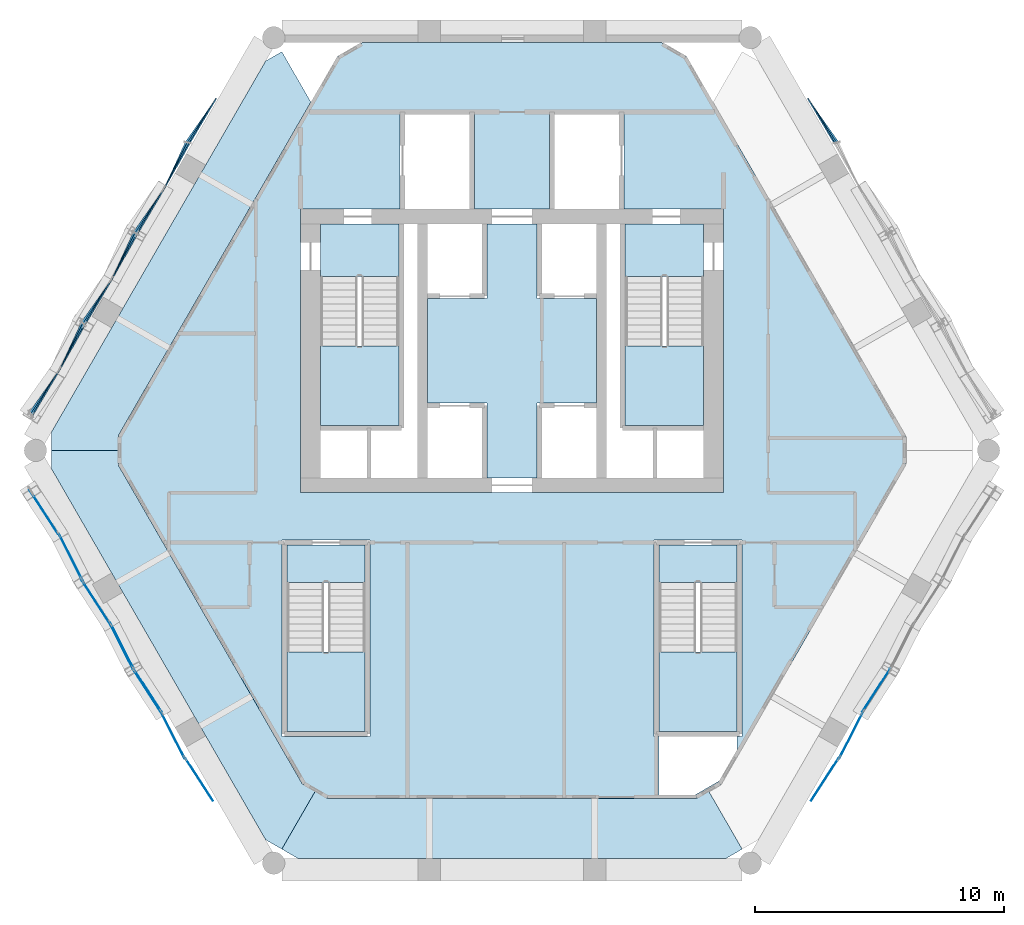
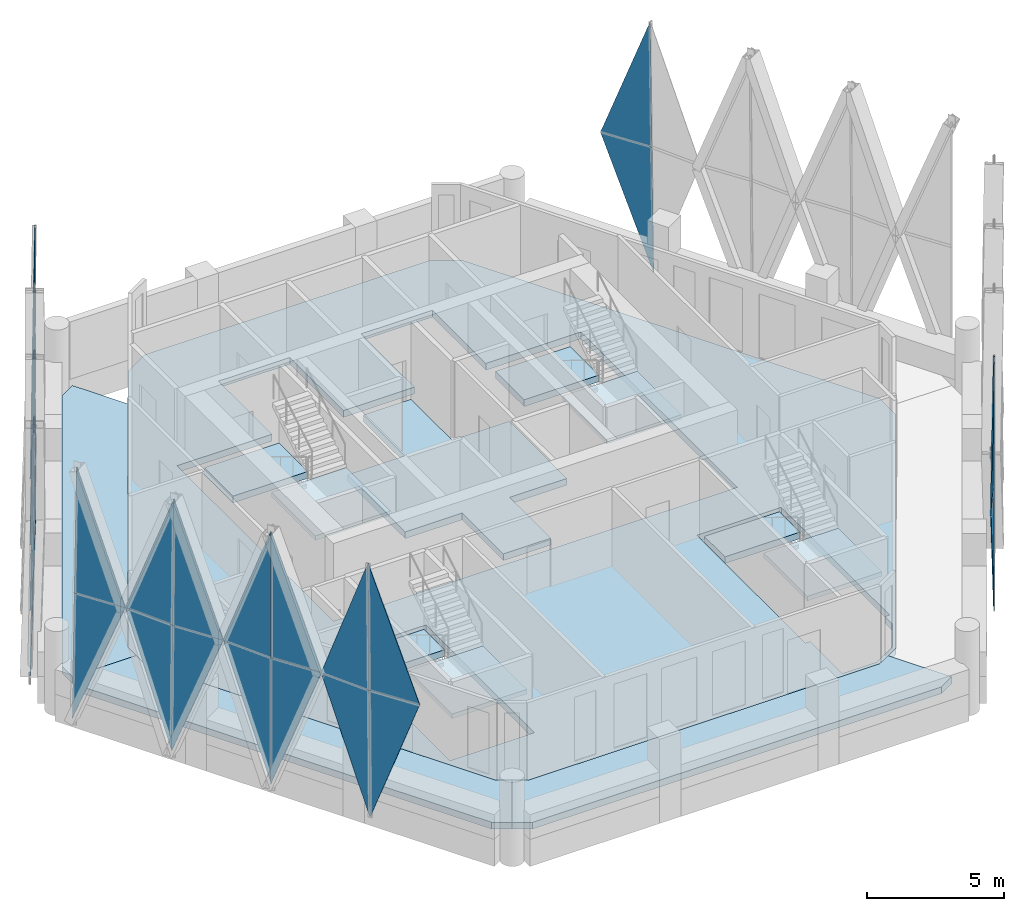
# One storey, part 10 of 18: 35 plates, 13 slabs, 18 elements without a shape of their own.
"""IFC4 building model written with IfcOpenShell, lengths in metres."""

from ifc_helpers import new_model, si_unit, direction, frame, origin, place, context, subcontext, project, spatial, polyline, outline, extrude, material, layer, layer_set, type_object, element, aggregate, save


model = new_model("IFC4")

# Units and contexts
model_context = context("Model", 3, precision=1e-05, world=origin(), true_north=direction((0.0, 1.0)))
body_context = subcontext(model_context, "Body", "Model", "MODEL_VIEW")
ifc_project = project(units=[si_unit("LENGTHUNIT", "METRE"), si_unit("AREAUNIT", "SQUARE_METRE"), si_unit("VOLUMEUNIT", "CUBIC_METRE"), si_unit("PLANEANGLEUNIT", "RADIAN"), si_unit("MASSUNIT", "GRAM", prefix="KILO")], contexts=[model_context])

# Site, building, storey
site_placement = place(None, origin())
site = spatial("IfcSite", under=ifc_project, at=site_placement, CompositionType="ELEMENT")
building_placement = place(site_placement, origin())
building = spatial("IfcBuilding", under=site, at=building_placement, Name="Ostrander Bayou Hotel Tower", CompositionType="ELEMENT")
storey_placement = place(building_placement, frame((0.0, 0.0, 214.5)))
storey = spatial("IfcBuildingStorey", under=building, at=storey_placement, Name="L53", CompositionType="ELEMENT", Elevation=214.5)

# Curtain wall, plate
ifc_material_1 = material(Name="Aluminium and clear glass", Category="aluminium")
curtain_wall_type = type_object("IfcCurtainWallType", Name="CW-LAT lattice glazing", PredefinedType="NOTDEFINED", material=ifc_material_1)
curtain_wall_1_placement = place(storey_placement, origin())
curtain_wall_1 = element("IfcCurtainWall", 1, at=curtain_wall_1_placement, inside=storey, type_object=curtain_wall_type, Name="CW-LAT L53 NW 1", PredefinedType="NOTDEFINED")
ifc_material_2 = material(Name="Clear laminated glass", Category="glass")
ifc_layer_1 = layer(ifc_material_2, 0.028076171875)
ifc_layer_set_1 = layer_set([ifc_layer_1], Name="CW-LA glazing panel 28 mm")
plate_type = type_object("IfcPlateType", Name="CW-LA glazing panel 28 mm", PredefinedType="CURTAIN_PANEL", material=ifc_layer_set_1)
plate_1_placement = place(storey_placement, frame((-11.900390625, 14.145263671875, 5.02490234375), z_axis=(-0.838689666044, 0.544422772837, 0.014264939118), x_axis=(-0.204058282246, -0.289853669809, -0.935064205039)))
plate_1 = element("IfcPlate", 2, at=plate_1_placement, type_object=plate_type, Name="CW-LAT panel 1", PredefinedType="CURTAIN_PANEL", context=body_context, shape_type="SweptSolid", body=[
    extrude(outline(polyline([(0.0, 0.0), (6.01562969653454, 2.220446049250313e-16), (0.7449282490474813, 1.9666090971246417), (0.0, 0.0)])), origin(), (0.0, 0.0, -1.0), 0.028076171875),
])

curtain_wall_2_placement = place(storey_placement, origin())
curtain_wall_2 = element("IfcCurtainWall", 3, at=curtain_wall_2_placement, inside=storey, type_object=curtain_wall_type, Name="CW-LAT L53 NW 2", PredefinedType="NOTDEFINED")
plate_2_placement = place(storey_placement, frame((-11.900390625, 14.145263671875, 5.02490234375), z_axis=(-0.838688946332, 0.544422305647, 0.014324957747), x_axis=(-0.177157880304, -0.297597551631, 0.938110218849)))
plate_2 = element("IfcPlate", 4, at=plate_2_placement, type_object=plate_type, Name="CW-LAT panel 2", PredefinedType="CURTAIN_PANEL", context=body_context, shape_type="SweptSolid", body=[
    extrude(outline(polyline([(0.0, 0.0), (5.9960971397365475, 0.0), (0.7277863205954376, -1.9730171080546923), (0.0, 0.0)])), origin(), (0.0, 0.0, -1.0), 0.028076171875),
])

curtain_wall_3_placement = place(storey_placement, origin())
curtain_wall_3 = element("IfcCurtainWall", 5, at=curtain_wall_3_placement, inside=storey, type_object=curtain_wall_type, Name="CW-LAT L53 NW 3", PredefinedType="NOTDEFINED")
plate_3_placement = place(storey_placement, frame((-14.00048828125, 10.508056640625, 5.02490234375), z_axis=(-0.89079693276, 0.454163638858, 0.014704207695), x_axis=(0.145451620119, 0.315647108463, -0.937662374804)))
plate_3 = element("IfcPlate", 6, at=plate_3_placement, type_object=plate_type, Name="CW-LAT panel 3", PredefinedType="CURTAIN_PANEL", context=body_context, shape_type="SweptSolid", body=[
    extrude(outline(polyline([(0.0, 0.0), (5.998960981210014, 2.220446049250313e-16), (0.7302165530131803, -1.9718461501294693), (0.0, 0.0)])), origin(), (0.0, 0.0, -1.0), 0.028076171875),
])

curtain_wall_4_placement = place(storey_placement, origin())
curtain_wall_4 = element("IfcCurtainWall", 7, at=curtain_wall_4_placement, inside=storey, type_object=curtain_wall_type, Name="CW-LAT L53 NW 4", PredefinedType="NOTDEFINED")
plate_4_placement = place(storey_placement, frame((-14.00048828125, 10.508056640625, 5.02490234375), z_axis=(-0.89079616662, 0.45416324825, 0.014762570023), x_axis=(0.172613089305, 0.308153548514, 0.935545889809)))
plate_4 = element("IfcPlate", 8, at=plate_4_placement, type_object=plate_type, Name="CW-LAT panel 4", PredefinedType="CURTAIN_PANEL", context=body_context, shape_type="SweptSolid", body=[
    extrude(outline(polyline([(0.0, 0.0), (6.012532427615079, 0.0), (0.7421202595477522, 1.9673970047866893), (0.0, 0.0)])), origin(), (0.0, 0.0, -1.0), 0.028076171875),
])

# Plate
plate_5_placement = place(storey_placement, frame((-14.00048828125, 10.508056640625, 5.02490234375), z_axis=(-0.838739811851, 0.544339235678, 0.014502569349), x_axis=(-0.202350329175, -0.286842463008, -0.936363041613)))
plate_5 = element("IfcPlate", 9, at=plate_5_placement, type_object=plate_type, Name="CW-LAT panel 5", PredefinedType="CURTAIN_PANEL", context=body_context, shape_type="SweptSolid", body=[
    extrude(outline(polyline([(0.0, 0.0), (6.007285369050406, -2.220446049250313e-16), (0.7376116915853436, 1.9692230441459917), (0.0, 0.0)])), origin(), (0.0, 0.0, -1.0), 0.028076171875),
])

plate_6_placement = place(storey_placement, frame((-14.00048828125, 10.508056640625, 5.02490234375), z_axis=(-0.83873908015, 0.544338760806, 0.014562586117), x_axis=(-0.178827707881, -0.300607831825, 0.936832739788)))
plate_6 = element("IfcPlate", 10, at=plate_6_placement, type_object=plate_type, Name="CW-LAT panel 6", PredefinedType="CURTAIN_PANEL", context=body_context, shape_type="SweptSolid", body=[
    extrude(outline(polyline([(0.0, 0.0), (6.004273506999107, 0.0), (0.7349645281234933, -1.970212564054754), (0.0, 0.0)])), origin(), (0.0, 0.0, -1.0), 0.028076171875),
])

plate_7_placement = place(storey_placement, frame((-16.100341796875, 6.870849609375, 5.02490234375), z_axis=(-0.890799534933, 0.454164965549, 0.014504228055), x_axis=(0.147203413834, 0.31862914535, -0.936379529192)))
plate_7 = element("IfcPlate", 11, at=plate_7_placement, type_object=plate_type, Name="CW-LAT panel 7", PredefinedType="CURTAIN_PANEL", context=body_context, shape_type="SweptSolid", body=[
    extrude(outline(polyline([(0.0, 0.0), (6.007179594000483, 2.220446049250313e-16), (0.7374758757783697, -1.969142652709495), (0.0, 0.0)])), origin(), (0.0, 0.0, -1.0), 0.028076171875),
])

plate_8_placement = place(storey_placement, frame((-16.100341796875, 6.870849609375, 5.02490234375), z_axis=(-0.890798779187, 0.45416458024, 0.014562590895), x_axis=(0.170900002624, 0.305164054173, 0.936839414811)))
plate_8 = element("IfcPlate", 12, at=plate_8_placement, type_object=plate_type, Name="CW-LAT panel 8", PredefinedType="CURTAIN_PANEL", context=body_context, shape_type="SweptSolid", body=[
    extrude(outline(polyline([(0.0, 0.0), (6.004230726281097, -6.661338147750939e-16), (0.7348839350432865, 1.970111432404308), (0.0, 0.0)])), origin(), (0.0, 0.0, -1.0), 0.028076171875),
])

plate_9_placement = place(storey_placement, frame((-16.100341796875, 6.870849609375, 5.02490234375), z_axis=(-0.838736903053, 0.544337347878, 0.014739713752), x_axis=(-0.200673928315, -0.283816665194, -0.937644962154)))
plate_9 = element("IfcPlate", 13, at=plate_9_placement, type_object=plate_type, Name="CW-LAT panel 9", PredefinedType="CURTAIN_PANEL", context=body_context, shape_type="SweptSolid", body=[
    extrude(outline(polyline([(0.0, 0.0), (5.999072385647575, -4.440892098500626e-16), (0.7303553359116741, 1.971925832394399), (0.0, 0.0)])), origin(), (0.0, 0.0, -1.0), 0.028076171875),
])

plate_10_placement = place(storey_placement, frame((-16.100341796875, 6.870849609375, 5.02490234375), z_axis=(-0.83873661074, 0.544337158168, 0.01476333436), x_axis=(-0.180569133683, -0.30360139702, 0.935532457849)))
plate_10 = element("IfcPlate", 14, at=plate_10_placement, type_object=plate_type, Name="CW-LAT panel 10", PredefinedType="CURTAIN_PANEL", context=body_context, shape_type="SweptSolid", body=[
    extrude(outline(polyline([(0.0, 0.0), (6.01261875289098, -4.440892098500626e-16), (0.7422384671159497, -1.96748378979151), (0.0, 0.0)])), origin(), (0.0, 0.0, -1.0), 0.028076171875),
])

plate_11_placement = place(storey_placement, frame((-18.2001953125, 3.233642578125, 5.02490234375), z_axis=(-0.890802101488, 0.454166274081, 0.014304246673), x_axis=(0.148948402298, 0.321598675697, -0.935087517424)))
plate_11 = element("IfcPlate", 15, at=plate_11_placement, type_object=plate_type, Name="CW-LAT panel 11", PredefinedType="CURTAIN_PANEL", context=body_context, shape_type="SweptSolid", body=[
    extrude(outline(polyline([(0.0, 0.0), (6.015479722683937, -2.220446049250313e-16), (0.7447052706094788, -1.9664199739631727), (0.0, 0.0)])), origin(), (0.0, 0.0, -1.0), 0.028076171875),
])

aggregate(curtain_wall_3, [plate_3, plate_7, plate_11])

plate_12_placement = place(storey_placement, frame((-18.2001953125, 3.233642578125, 5.02490234375), z_axis=(-0.890801850138, 0.454166145933, 0.01432395471), x_axis=(0.169140318983, 0.302164253051, 0.938130223728)))
plate_12 = element("IfcPlate", 16, at=plate_12_placement, type_object=plate_type, Name="CW-LAT panel 12", PredefinedType="CURTAIN_PANEL", context=body_context, shape_type="SweptSolid", body=[
    extrude(outline(polyline([(0.0, 0.0), (5.995969277745672, 0.0), (0.7275837991990841, 1.9728191172071219), (0.0, 0.0)])), origin(), (0.0, 0.0, -1.0), 0.028076171875),
])

aggregate(curtain_wall_4, [plate_4, plate_8, plate_12])

plate_13_placement = place(storey_placement, frame((-18.2001953125, 3.233642578125, 5.02490234375), z_axis=(-0.838681381803, 0.544417395247, 0.014941203737), x_axis=(-0.19899021183, -0.280778734284, -0.938917567186)))
plate_13 = element("IfcPlate", 17, at=plate_13_placement, type_object=plate_type, Name="CW-LAT panel 13", PredefinedType="CURTAIN_PANEL", context=body_context, shape_type="SweptSolid", body=[
    extrude(outline(polyline([(0.0, 0.0), (5.990941267465549, -4.440892098500626e-16), (0.7231177853239341, 1.9747329200857906), (0.0, 0.0)])), origin(), (0.0, 0.0, -1.0), 0.028076171875),
])

aggregate(curtain_wall_1, [plate_1, plate_5, plate_9, plate_13])

plate_14_placement = place(storey_placement, frame((-18.2001953125, 3.233642578125, 5.02490234375), z_axis=(-0.838680925109, 0.544417098791, 0.014977596683), x_axis=(-0.182305513905, -0.306545748471, 0.934234662006)))
plate_14 = element("IfcPlate", 18, at=plate_14_placement, type_object=plate_type, Name="CW-LAT panel 14", PredefinedType="CURTAIN_PANEL", context=body_context, shape_type="SweptSolid", body=[
    extrude(outline(polyline([(0.0, 0.0), (6.020971206441602, 4.440892098500626e-16), (0.7494643293257232, -1.964884896422864), (0.0, 0.0)])), origin(), (0.0, 0.0, -1.0), 0.028076171875),
])

aggregate(curtain_wall_2, [plate_2, plate_6, plate_10, plate_14])

# Curtain wall, plate
curtain_wall_5_placement = place(storey_placement, origin())
curtain_wall_5 = element("IfcCurtainWall", 19, at=curtain_wall_5_placement, inside=storey, type_object=curtain_wall_type, Name="CW-LAT L53 SW 3", PredefinedType="NOTDEFINED")
plate_15_placement = place(storey_placement, frame((-18.218017578125, -3.366455078125, 5.02490234375), z_axis=(0.838300252815, 0.545208095118, 0.000905067842), x_axis=(-0.194872312498, 0.301181033495, -0.933442428265)))
plate_15 = element("IfcPlate", 20, at=plate_15_placement, type_object=plate_type, Name="CW-LAT panel 1", PredefinedType="CURTAIN_PANEL", context=body_context, shape_type="SweptSolid", body=[
    extrude(outline(polyline([(0.0, 0.0), (6.026081341146055, -4.440892098500626e-16), (0.7416527401324696, 1.929857172296114), (0.0, 0.0)])), origin(), (0.0, 0.0, -1.0), 0.028076171875),
])

curtain_wall_6_placement = place(storey_placement, origin())
curtain_wall_6 = element("IfcCurtainWall", 21, at=curtain_wall_6_placement, inside=storey, type_object=curtain_wall_type, Name="CW-LAT L53 SW 4", PredefinedType="NOTDEFINED")
plate_16_placement = place(storey_placement, frame((-18.218017578125, -3.366455078125, 5.02490234375), z_axis=(0.838300279866, 0.545208112712, 0.00086868331), x_axis=(-0.181149399113, 0.277027930274, 0.943631507024)))
plate_16 = element("IfcPlate", 22, at=plate_16_placement, type_object=plate_type, Name="CW-LAT panel 2", PredefinedType="CURTAIN_PANEL", context=body_context, shape_type="SweptSolid", body=[
    extrude(outline(polyline([(0.0, 0.0), (5.961013338498988, 0.0), (0.6843232550587842, -1.9509226471068768), (0.0, 0.0)])), origin(), (0.0, 0.0, -1.0), 0.028076171875),
])

curtain_wall_7_placement = place(storey_placement, origin())
curtain_wall_7 = element("IfcCurtainWall", 23, at=curtain_wall_7_placement, inside=storey, type_object=curtain_wall_type, Name="CW-LAT L53 SW 1", PredefinedType="NOTDEFINED")
plate_17_placement = place(storey_placement, frame((-18.218017578125, -3.366455078125, 5.02490234375), z_axis=(-0.891287989002, -0.453437450684, 0.000446069584), x_axis=(0.152894503593, -0.301459106737, -0.941140625909)))
plate_17 = element("IfcPlate", 24, at=plate_17_placement, type_object=plate_type, Name="CW-LAT panel 3", PredefinedType="CURTAIN_PANEL", context=body_context, shape_type="SweptSolid", body=[
    extrude(outline(polyline([(0.0, 0.0), (5.9767901258815845, 2.220446049250313e-16), (0.6988594315048104, 1.9458457510687583), (0.0, 0.0)])), origin(), (0.0, 0.0, -1.0), 0.028076171875),
])

curtain_wall_8_placement = place(storey_placement, origin())
curtain_wall_8 = element("IfcCurtainWall", 25, at=curtain_wall_8_placement, inside=storey, type_object=curtain_wall_type, Name="CW-LAT L53 SW 2", PredefinedType="NOTDEFINED")
plate_18_placement = place(storey_placement, frame((-18.218017578125, -3.366455078125, 5.02490234375), z_axis=(-0.891287996396, -0.453437454446, 0.000427065658), x_axis=(0.159908212959, -0.313437973317, 0.936048075855)))
plate_18 = element("IfcPlate", 26, at=plate_18_placement, type_object=plate_type, Name="CW-LAT panel 4", PredefinedType="CURTAIN_PANEL", context=body_context, shape_type="SweptSolid", body=[
    extrude(outline(polyline([(0.0, 0.0), (6.009306728036717, 0.0), (0.7275091211807005, -1.9353166848230423), (0.0, 0.0)])), origin(), (0.0, 0.0, -1.0), 0.028076171875),
])

# Plate
plate_19_placement = place(storey_placement, frame((-16.153564453125, -6.9423828125, 5.02490234375), z_axis=(0.838354483937, 0.545125270863, 0.00044534117), x_axis=(-0.19147414186, 0.295235007192, -0.936041635573)))
plate_19 = element("IfcPlate", 27, at=plate_19_placement, type_object=plate_type, Name="CW-LAT panel 5", PredefinedType="CURTAIN_PANEL", context=body_context, shape_type="SweptSolid", body=[
    extrude(outline(polyline([(0.0, 0.0), (6.009348074088473, 2.220446049250313e-16), (0.7274702038293703, 1.9351057504084879), (0.0, 0.0)])), origin(), (0.0, 0.0, -1.0), 0.028076171875),
])

plate_20_placement = place(storey_placement, frame((-16.153564453125, -6.9423828125, 5.02490234375), z_axis=(0.838354479118, 0.545125267729, 0.00045806813), x_axis=(-0.184632169995, 0.283157124426, 0.941133893072)))
plate_20 = element("IfcPlate", 28, at=plate_20_placement, type_object=plate_type, Name="CW-LAT panel 6", PredefinedType="CURTAIN_PANEL", context=body_context, shape_type="SweptSolid", body=[
    extrude(outline(polyline([(0.0, 0.0), (5.976832883615248, 4.440892098500626e-16), (0.6988267878414262, -1.945633131738555), (0.0, 0.0)])), origin(), (0.0, 0.0, -1.0), 0.028076171875),
])

plate_21_placement = place(storey_placement, frame((-16.153564453125, -6.9423828125, 5.02490234375), z_axis=(-0.891263795386, -0.45348522251, 0.0), x_axis=(0.156435996819, -0.307453767706, -0.938615980912)))
plate_21 = element("IfcPlate", 29, at=plate_21_placement, type_object=plate_type, Name="CW-LAT panel 7", PredefinedType="CURTAIN_PANEL", context=body_context, shape_type="SweptSolid", body=[
    extrude(outline(polyline([(0.0, 0.0), (5.9928662140784255, 0.0), (0.7131513214499321, 1.9404215141450316), (0.0, 0.0)])), origin(), (0.0, 0.0, -1.0), 0.028076171875),
])

plate_22_placement = place(storey_placement, frame((-16.153564453125, -6.9423828125, 5.02490234375), z_axis=(0.891263795386, 0.45348522251, 0.0), x_axis=(0.156435996819, -0.307453767706, 0.938615980912)))
plate_22 = element("IfcPlate", 30, at=plate_22_placement, type_object=plate_type, Name="CW-LAT panel 8", PredefinedType="CURTAIN_PANEL", context=body_context, shape_type="SweptSolid", body=[
    extrude(outline(polyline([(0.0, 0.0), (5.9928662140784255, 0.0), (0.7131513214499321, 1.9404215141450316), (0.0, 0.0)])), origin(), (0.0, 0.0, -1.0), 0.028076171875),
])

plate_23_placement = place(storey_placement, frame((-14.089111328125, -10.518310546875, 5.02490234375), z_axis=(0.838389655086, 0.545071358856, 0.0), x_axis=(-0.188046818947, 0.289240124464, -0.938604572908)))
plate_23 = element("IfcPlate", 31, at=plate_23_placement, type_object=plate_type, Name="CW-LAT panel 9", PredefinedType="CURTAIN_PANEL", context=body_context, shape_type="SweptSolid", body=[
    extrude(outline(polyline([(0.0, 0.0), (5.9929390526747985, 0.0), (0.7132883300668317, 1.940596106165623), (0.0, 0.0)])), origin(), (0.0, 0.0, -1.0), 0.028076171875),
])

plate_24_placement = place(storey_placement, frame((-14.089111328125, -10.518310546875, 5.02490234375), z_axis=(-0.838389655086, -0.545071358856, 0.0), x_axis=(-0.188046818947, 0.289240124464, 0.938604572908)))
plate_24 = element("IfcPlate", 32, at=plate_24_placement, type_object=plate_type, Name="CW-LAT panel 10", PredefinedType="CURTAIN_PANEL", context=body_context, shape_type="SweptSolid", body=[
    extrude(outline(polyline([(0.0, 0.0), (5.9929390526747985, 0.0), (0.7132883300668317, 1.940596106165623), (0.0, 0.0)])), origin(), (0.0, 0.0, -1.0), 0.028076171875),
])

plate_25_placement = place(storey_placement, frame((-14.089111328125, -10.518310546875, 5.02490234375), z_axis=(0.891263698904, 0.453485173419, 0.000465301859), x_axis=(0.159949837466, -0.313399300537, -0.936053912933)))
plate_25 = element("IfcPlate", 33, at=plate_25_placement, type_object=plate_type, Name="CW-LAT panel 11", PredefinedType="CURTAIN_PANEL", context=body_context, shape_type="SweptSolid", body=[
    extrude(outline(polyline([(0.0, 0.0), (6.009269254986952, -2.220446049250313e-16), (0.7274003654835617, -1.935125104001564), (0.0, 0.0)])), origin(), (0.0, 0.0, -1.0), 0.028076171875),
])

aggregate(curtain_wall_7, [plate_17, plate_21, plate_25])

plate_26_placement = place(storey_placement, frame((-14.089111328125, -10.518310546875, 5.02490234375), z_axis=(0.891263706894, 0.453485177484, 0.000445619347), x_axis=(0.152896386249, -0.301421970112, 0.941152214579)))
plate_26 = element("IfcPlate", 34, at=plate_26_placement, type_object=plate_type, Name="CW-LAT panel 12", PredefinedType="CURTAIN_PANEL", context=body_context, shape_type="SweptSolid", body=[
    extrude(outline(polyline([(0.0, 0.0), (5.976716532000105, 0.0), (0.698719172760749, 1.9456649191110007), (0.0, 0.0)])), origin(), (0.0, 0.0, -1.0), 0.028076171875),
])

aggregate(curtain_wall_8, [plate_18, plate_22, plate_26])

plate_27_placement = place(storey_placement, frame((-12.0244140625, -14.093994140625, 5.02490234375), z_axis=(-0.838300521336, -0.545208269758, 0.000422510003), x_axis=(-0.184632169995, 0.283157124426, -0.941133893072)))
plate_27 = element("IfcPlate", 35, at=plate_27_placement, type_object=plate_type, Name="CW-LAT panel 13", PredefinedType="CURTAIN_PANEL", context=body_context, shape_type="SweptSolid", body=[
    extrude(outline(polyline([(0.0, 0.0), (5.976832883615248, 4.440892098500626e-16), (0.6988718640548038, -1.9457583637341291), (0.0, 0.0)])), origin(), (0.0, 0.0, -1.0), 0.028076171875),
])

aggregate(curtain_wall_5, [plate_15, plate_19, plate_23, plate_27])

plate_28_placement = place(storey_placement, frame((-12.0244140625, -14.093994140625, 5.02490234375), z_axis=(-0.83830051272, -0.545208264154, 0.000446173552), x_axis=(-0.191513278736, 0.295232710347, 0.936034353434)))
plate_28 = element("IfcPlate", 36, at=plate_28_placement, type_object=plate_type, Name="CW-LAT panel 14", PredefinedType="CURTAIN_PANEL", context=body_context, shape_type="SweptSolid", body=[
    extrude(outline(polyline([(0.0, 0.0), (6.009394825482608, 0.0), (0.7275570846392849, 1.9352152802724398), (0.0, 0.0)])), origin(), (0.0, 0.0, -1.0), 0.028076171875),
])

aggregate(curtain_wall_6, [plate_16, plate_20, plate_24, plate_28])

# Curtain wall, plate
curtain_wall_9_placement = place(storey_placement, origin())
curtain_wall_9 = element("IfcCurtainWall", 37, at=curtain_wall_9_placement, inside=storey, type_object=curtain_wall_type, Name="CW-LAT L53 SE 1", PredefinedType="NOTDEFINED")
plate_29_placement = place(storey_placement, frame((12.0244140625, -14.093994140625, 5.02490234375), z_axis=(0.838300521336, -0.545208269758, 0.000422510003), x_axis=(0.184632169995, 0.283157124426, -0.941133893072)))
plate_29 = element("IfcPlate", 38, at=plate_29_placement, type_object=plate_type, Name="CW-LAT panel 1", PredefinedType="CURTAIN_PANEL", context=body_context, shape_type="SweptSolid", body=[
    extrude(outline(polyline([(0.0, 0.0), (5.976832883615248, -4.440892098500626e-16), (0.6988718640548038, 1.9457583637341291), (0.0, 0.0)])), origin(), (0.0, 0.0, -1.0), 0.028076171875),
])

curtain_wall_10_placement = place(storey_placement, origin())
curtain_wall_10 = element("IfcCurtainWall", 39, at=curtain_wall_10_placement, inside=storey, type_object=curtain_wall_type, Name="CW-LAT L53 SE 2", PredefinedType="NOTDEFINED")
plate_30_placement = place(storey_placement, frame((12.0244140625, -14.093994140625, 5.02490234375), z_axis=(0.83830051272, -0.545208264154, 0.000446173552), x_axis=(0.191513278736, 0.295232710347, 0.936034353434)))
plate_30 = element("IfcPlate", 40, at=plate_30_placement, type_object=plate_type, Name="CW-LAT panel 2", PredefinedType="CURTAIN_PANEL", context=body_context, shape_type="SweptSolid", body=[
    extrude(outline(polyline([(0.0, 0.0), (6.009394825482608, 0.0), (0.7275570846392849, -1.9352152802724398), (0.0, 0.0)])), origin(), (0.0, 0.0, -1.0), 0.028076171875),
])
aggregate(curtain_wall_10, [plate_30])

curtain_wall_11_placement = place(storey_placement, origin())
curtain_wall_11 = element("IfcCurtainWall", 41, at=curtain_wall_11_placement, inside=storey, type_object=curtain_wall_type, Name="CW-LAT L53 SE 3", PredefinedType="NOTDEFINED")
plate_31_placement = place(storey_placement, frame((14.089111328125, -10.518310546875, 5.02490234375), z_axis=(-0.891263698904, 0.453485173419, 0.000465301859), x_axis=(-0.159949837466, -0.313399300537, -0.936053912933)))
plate_31 = element("IfcPlate", 42, at=plate_31_placement, type_object=plate_type, Name="CW-LAT panel 3", PredefinedType="CURTAIN_PANEL", context=body_context, shape_type="SweptSolid", body=[
    extrude(outline(polyline([(0.0, 0.0), (6.009269254986952, 2.220446049250313e-16), (0.7274003654835617, 1.935125104001564), (0.0, 0.0)])), origin(), (0.0, 0.0, -1.0), 0.028076171875),
])
aggregate(curtain_wall_11, [plate_31])

curtain_wall_12_placement = place(storey_placement, origin())
curtain_wall_12 = element("IfcCurtainWall", 43, at=curtain_wall_12_placement, inside=storey, type_object=curtain_wall_type, Name="CW-LAT L53 SE 4", PredefinedType="NOTDEFINED")
plate_32_placement = place(storey_placement, frame((14.089111328125, -10.518310546875, 5.02490234375), z_axis=(-0.891263706894, 0.453485177484, 0.000445619347), x_axis=(-0.152896386249, -0.301421970112, 0.941152214579)))
plate_32 = element("IfcPlate", 44, at=plate_32_placement, type_object=plate_type, Name="CW-LAT panel 4", PredefinedType="CURTAIN_PANEL", context=body_context, shape_type="SweptSolid", body=[
    extrude(outline(polyline([(0.0, 0.0), (5.976716532000105, 0.0), (0.698719172760749, -1.9456649191110007), (0.0, 0.0)])), origin(), (0.0, 0.0, -1.0), 0.028076171875),
])
aggregate(curtain_wall_12, [plate_32])

# Plate
plate_33_placement = place(storey_placement, frame((14.089111328125, -10.518310546875, 5.02490234375), z_axis=(0.838389655086, -0.545071358856, 0.0), x_axis=(0.188046818947, 0.289240124464, -0.938604572908)))
plate_33 = element("IfcPlate", 45, at=plate_33_placement, type_object=plate_type, Name="CW-LAT panel 5", PredefinedType="CURTAIN_PANEL", context=body_context, shape_type="SweptSolid", body=[
    extrude(outline(polyline([(0.0, 0.0), (5.9929390526747985, 0.0), (0.7132883300668317, 1.940596106165623), (0.0, 0.0)])), origin(), (0.0, 0.0, -1.0), 0.028076171875),
])

aggregate(curtain_wall_9, [plate_29, plate_33])

# Curtain wall, plate
curtain_wall_13_placement = place(storey_placement, origin())
curtain_wall_13 = element("IfcCurtainWall", 46, at=curtain_wall_13_placement, inside=storey, type_object=curtain_wall_type, Name="CW-LAT L53 NE 3", PredefinedType="NOTDEFINED")
plate_34_placement = place(storey_placement, frame((11.900390625, 14.145263671875, 5.02490234375), z_axis=(0.838689666044, 0.544422772837, 0.014264939118), x_axis=(0.204058282246, -0.289853669809, -0.935064205039)))
plate_34 = element("IfcPlate", 47, at=plate_34_placement, type_object=plate_type, Name="CW-LAT panel 13", PredefinedType="CURTAIN_PANEL", context=body_context, shape_type="SweptSolid", body=[
    extrude(outline(polyline([(0.0, 0.0), (6.01562969653454, -2.220446049250313e-16), (0.7449282490474813, -1.9666090971246417), (0.0, 0.0)])), origin(), (0.0, 0.0, -1.0), 0.028076171875),
])
aggregate(curtain_wall_13, [plate_34])

curtain_wall_14_placement = place(storey_placement, origin())
curtain_wall_14 = element("IfcCurtainWall", 48, at=curtain_wall_14_placement, inside=storey, type_object=curtain_wall_type, Name="CW-LAT L53 NE 4", PredefinedType="NOTDEFINED")
plate_35_placement = place(storey_placement, frame((11.900390625, 14.145263671875, 5.02490234375), z_axis=(0.838688946332, 0.544422305647, 0.014324957747), x_axis=(0.177157880304, -0.297597551631, 0.938110218849)))
plate_35 = element("IfcPlate", 49, at=plate_35_placement, type_object=plate_type, Name="CW-LAT panel 14", PredefinedType="CURTAIN_PANEL", context=body_context, shape_type="SweptSolid", body=[
    extrude(outline(polyline([(0.0, 0.0), (5.9960971397365475, 0.0), (0.7277863205954376, 1.9730171080546923), (0.0, 0.0)])), origin(), (0.0, 0.0, -1.0), 0.028076171875),
])
aggregate(curtain_wall_14, [plate_35])

# Slabs
ifc_material_3 = material(Name="Concrete f'c 40 MPa", Category="concrete")
ifc_layer_2 = layer(ifc_material_3, 0.300048828125)
ifc_layer_set_2 = layer_set([ifc_layer_2], Name="SL1 floor slab 300 mm f'c 40 MPa")
slab_type_1 = type_object("IfcSlabType", Name="SL1 floor slab 300 mm f'c 40 MPa", PredefinedType="FLOOR", material=ifc_layer_set_2)
slab_1_placement = place(storey_placement, frame((0.0, 0.0, -0.300048828125)))
element("IfcSlab", 50, at=slab_1_placement, inside=storey, type_object=slab_type_1, Name="SL1 L53 1", PredefinedType="FLOOR", context=body_context, shape_type="SweptSolid", body=[
    extrude(outline(polyline([(-2.909423828125, 16.39990234375), (2.909423828125, 16.39990234375), (3.74951171875, 16.39990234375), (6.00439453125, 16.39990234375), (7.043701171875, 15.800048828125), (15.8193359375, 0.60009765625), (15.8193359375, -0.60009765625), (8.42919921875, -13.39990234375), (7.39013671875, -14.0), (-7.39013671875, -14.0), (-8.42919921875, -13.39990234375), (-15.8193359375, -0.60009765625), (-15.8193359375, 0.60009765625), (-7.043701171875, 15.800048828125), (-6.00439453125, 16.39990234375), (-3.74951171875, 16.39990234375), (-2.909423828125, 16.39990234375)]), holes=[polyline([(9.050048828125, -11.5), (9.25, -11.5), (9.25, -3.60009765625), (5.699951171875, -3.60009765625), (5.699951171875, -11.5), (5.89990234375, -11.5), (5.89990234375, -13.85009765625), (7.349853515625, -13.85009765625), (8.319580078125, -13.290283203125), (9.050048828125, -12.02490234375), (9.050048828125, -11.5)]), polyline([(-8.5, -1.699951171875), (8.5, -1.699951171875), (8.5, 9.699951171875), (4.5, 9.699951171875), (4.5, 13.60009765625), (1.5, 13.60009765625), (1.5, 9.699951171875), (-1.5, 9.699951171875), (-1.5, 13.60009765625), (-4.5, 13.60009765625), (-4.5, 9.699951171875), (-8.5, 9.699951171875), (-8.5, -1.699951171875)]), polyline([(-5.699951171875, -3.60009765625), (-9.25, -3.60009765625), (-9.25, -11.5), (-5.699951171875, -11.5), (-5.699951171875, -3.60009765625)])]), origin(), (0.0, 0.0, 1.0), 0.300048828125),
])
slab_2_placement = place(storey_placement, frame((0.0, 0.0, -0.300048828125)))
element("IfcSlab", 51, at=slab_2_placement, inside=storey, type_object=slab_type_1, Name="cslab:L53:001", PredefinedType="FLOOR", context=body_context, shape_type="SweptSolid", body=[
    extrude(outline(polyline([(-3.39990234375, 6.10009765625), (-1.0, 6.10009765625), (-1.0, 9.10009765625), (1.0, 9.10009765625), (1.0, 6.10009765625), (3.39990234375, 6.10009765625), (3.39990234375, 1.89990234375), (1.0, 1.89990234375), (1.0, -1.10009765625), (-1.0, -1.10009765625), (-1.0, 1.89990234375), (-3.39990234375, 1.89990234375), (-3.39990234375, 6.10009765625)])), origin(), (0.0, 0.0, 1.0), 0.300048828125),
])
slab_3_placement = place(storey_placement, frame((0.0, 0.0, -0.300048828125)))
element("IfcSlab", 52, at=slab_3_placement, inside=storey, type_object=slab_type_1, Name="cslab:L53:002", PredefinedType="FLOOR", context=body_context, shape_type="SweptSolid", body=[
    extrude(outline(polyline([(-4.550048828125, 7.0), (-4.550048828125, 9.10009765625), (-7.699951171875, 9.10009765625), (-7.699951171875, 7.0), (-4.550048828125, 7.0)])), origin(), (0.0, 0.0, 1.0), 0.300048828125),
])
slab_4_placement = place(storey_placement, frame((0.0, 0.0, -0.300048828125)))
element("IfcSlab", 53, at=slab_4_placement, inside=storey, type_object=slab_type_1, Name="cslab:L53:003", PredefinedType="FLOOR", context=body_context, shape_type="SweptSolid", body=[
    extrude(outline(polyline([(7.699951171875, 7.0), (7.699951171875, 9.10009765625), (4.550048828125, 9.10009765625), (4.550048828125, 7.0), (7.699951171875, 7.0)])), origin(), (0.0, 0.0, 1.0), 0.300048828125),
])
slab_5_placement = place(storey_placement, frame((0.0, 0.0, -0.300048828125)))
element("IfcSlab", 54, at=slab_5_placement, inside=storey, type_object=slab_type_1, Name="cslab:L53:004", PredefinedType="FLOOR", context=body_context, shape_type="SweptSolid", body=[
    extrude(outline(polyline([(9.050048828125, -5.300048828125), (9.050048828125, -3.800048828125), (5.89990234375, -3.800048828125), (5.89990234375, -5.300048828125), (9.050048828125, -5.300048828125)])), origin(), (0.0, 0.0, 1.0), 0.300048828125),
])
slab_6_placement = place(storey_placement, frame((0.0, 0.0, -0.300048828125)))
element("IfcSlab", 55, at=slab_6_placement, inside=storey, type_object=slab_type_1, Name="cslab:L53:005", PredefinedType="FLOOR", context=body_context, shape_type="SweptSolid", body=[
    extrude(outline(polyline([(-5.89990234375, -5.300048828125), (-5.89990234375, -3.800048828125), (-9.050048828125, -3.800048828125), (-9.050048828125, -5.300048828125), (-5.89990234375, -5.300048828125)])), origin(), (0.0, 0.0, 1.0), 0.300048828125),
])
ifc_material_4 = material(Name="Concrete f'c 40 MPa", Category="concrete")
ifc_layer_3 = layer(ifc_material_4, 0.300048828125)
ifc_layer_set_3 = layer_set([ifc_layer_3], Name="SL4 loggia slab 300 mm f'c 40 MPa")
slab_type_2 = type_object("IfcSlabType", Name="SL4 loggia slab 300 mm f'c 40 MPa", PredefinedType="FLOOR", material=ifc_layer_set_3)
slab_7_placement = place(storey_placement, frame((0.0, 0.0, -0.300048828125)))
element("IfcSlab", 56, at=slab_7_placement, inside=storey, type_object=slab_type_2, Name="SL4 LOGGIA L53 NW 1", PredefinedType="FLOOR", context=body_context, shape_type="SweptSolid", body=[
    extrude(outline(polyline([(-18.504150390625, 0.0), (-18.504150390625, 0.75), (-16.869384765625, 3.581298828125), (-16.077392578125, 4.952880859375), (-15.657470703125, 5.680419921875), (-12.748046875, 10.719482421875), (-12.328125, 11.447021484375), (-9.901611328125, 15.64990234375), (-9.251953125, 16.02490234375), (-8.0830078125, 14.0), (-15.8193359375, 0.60009765625), (-15.8193359375, 0.0), (-18.504150390625, 0.0)])), origin(), (0.0, 0.0, 1.0), 0.300048828125),
])
slab_8_placement = place(storey_placement, frame((0.0, 0.0, -0.300048828125)))
element("IfcSlab", 57, at=slab_8_placement, inside=storey, type_object=slab_type_2, Name="SL4 LOGGIA L53 SW 1", PredefinedType="FLOOR", context=body_context, shape_type="SweptSolid", body=[
    extrude(outline(polyline([(-7.90966796875, -13.699951171875), (-9.251953125, -16.02490234375), (-9.901611328125, -15.64990234375), (-12.328125, -11.447021484375), (-12.748046875, -10.719482421875), (-15.657470703125, -5.680419921875), (-16.077392578125, -4.952880859375), (-18.504150390625, -0.75), (-18.504150390625, 0.0), (-15.8193359375, 0.0), (-15.8193359375, -0.60009765625), (-8.42919921875, -13.39990234375), (-7.90966796875, -13.699951171875)])), origin(), (0.0, 0.0, 1.0), 0.300048828125),
])
slab_9_placement = place(storey_placement, frame((0.0, 0.0, -0.300048828125)))
element("IfcSlab", 58, at=slab_9_placement, inside=storey, type_object=slab_type_2, Name="SL4 LOGGIA L53 S 1", PredefinedType="FLOOR", context=body_context, shape_type="SweptSolid", body=[
    extrude(outline(polyline([(7.90966796875, -13.699951171875), (9.251953125, -16.02490234375), (8.6025390625, -16.39990234375), (3.74951171875, -16.39990234375), (2.909423828125, -16.39990234375), (0.0, -16.39990234375), (-2.909423828125, -16.39990234375), (-3.74951171875, -16.39990234375), (-8.6025390625, -16.39990234375), (-9.251953125, -16.02490234375), (-7.90966796875, -13.699951171875), (-7.39013671875, -14.0), (7.39013671875, -14.0), (7.90966796875, -13.699951171875)])), origin(), (0.0, 0.0, 1.0), 0.300048828125),
])

# Stair, slab
ifc_material_5 = material(Name="Concrete f'c 45 MPa", Category="concrete")
stair_type = type_object("IfcStairType", Name="ST1 exit stair 1500 mm f'c 45 MPa", PredefinedType="HALF_TURN_STAIR", material=ifc_material_5)
stair_1_placement = place(storey_placement, origin())
stair_1 = element("IfcStair", 59, at=stair_1_placement, inside=storey, type_object=stair_type, Name="L53 exit stair A", PredefinedType="HALF_TURN_STAIR")
ifc_material_6 = material(Name="Concrete f'c 45 MPa", Category="concrete")
ifc_layer_4 = layer(ifc_material_6, 0.199951171875)
ifc_layer_set_4 = layer_set([ifc_layer_4], Name="SL8 stair landing 200 mm f'c 45 MPa")
slab_type_3 = type_object("IfcSlabType", Name="SL8 stair landing 200 mm f'c 45 MPa", PredefinedType="LANDING", material=ifc_layer_set_4)
slab_10_placement = place(storey_placement, frame((0.0, 0.0, 1.675048828125)))
slab_10 = element("IfcSlab", 60, at=slab_10_placement, type_object=slab_type_3, Name="STA landing 1", PredefinedType="LANDING", context=body_context, shape_type="SweptSolid", body=[
    extrude(outline(polyline([(-7.699951171875, 4.199951171875), (-7.699951171875, 1.0), (-4.550048828125, 1.0), (-4.550048828125, 4.199951171875), (-7.699951171875, 4.199951171875)])), origin(), (0.0, 0.0, 1.0), 0.199951171875),
])
aggregate(stair_1, [slab_10])

stair_2_placement = place(storey_placement, origin())
stair_2 = element("IfcStair", 61, at=stair_2_placement, inside=storey, type_object=stair_type, Name="L53 exit stair B", PredefinedType="HALF_TURN_STAIR")
slab_11_placement = place(storey_placement, frame((0.0, 0.0, 1.675048828125)))
slab_11 = element("IfcSlab", 62, at=slab_11_placement, type_object=slab_type_3, Name="STB landing 1", PredefinedType="LANDING", context=body_context, shape_type="SweptSolid", body=[
    extrude(outline(polyline([(4.550048828125, 4.199951171875), (4.550048828125, 1.0), (7.699951171875, 1.0), (7.699951171875, 4.199951171875), (4.550048828125, 4.199951171875)])), origin(), (0.0, 0.0, 1.0), 0.199951171875),
])
aggregate(stair_2, [slab_11])

stair_3_placement = place(storey_placement, origin())
stair_3 = element("IfcStair", 63, at=stair_3_placement, inside=storey, type_object=stair_type, Name="L53 exit stair C", PredefinedType="HALF_TURN_STAIR")
slab_12_placement = place(storey_placement, frame((0.0, 0.0, 1.675048828125)))
slab_12 = element("IfcSlab", 64, at=slab_12_placement, type_object=slab_type_3, Name="STC landing 1", PredefinedType="LANDING", context=body_context, shape_type="SweptSolid", body=[
    extrude(outline(polyline([(5.89990234375, -8.10009765625), (5.89990234375, -11.300048828125), (9.050048828125, -11.300048828125), (9.050048828125, -8.10009765625), (5.89990234375, -8.10009765625)])), origin(), (0.0, 0.0, 1.0), 0.199951171875),
])
aggregate(stair_3, [slab_12])

stair_4_placement = place(storey_placement, origin())
stair_4 = element("IfcStair", 65, at=stair_4_placement, inside=storey, type_object=stair_type, Name="L53 exit stair D", PredefinedType="HALF_TURN_STAIR")
slab_13_placement = place(storey_placement, frame((0.0, 0.0, 1.675048828125)))
slab_13 = element("IfcSlab", 66, at=slab_13_placement, type_object=slab_type_3, Name="STD landing 1", PredefinedType="LANDING", context=body_context, shape_type="SweptSolid", body=[
    extrude(outline(polyline([(-9.050048828125, -8.10009765625), (-9.050048828125, -11.300048828125), (-5.89990234375, -11.300048828125), (-5.89990234375, -8.10009765625), (-9.050048828125, -8.10009765625)])), origin(), (0.0, 0.0, 1.0), 0.199951171875),
])
aggregate(stair_4, [slab_13])

save(model, "model.ifc")
